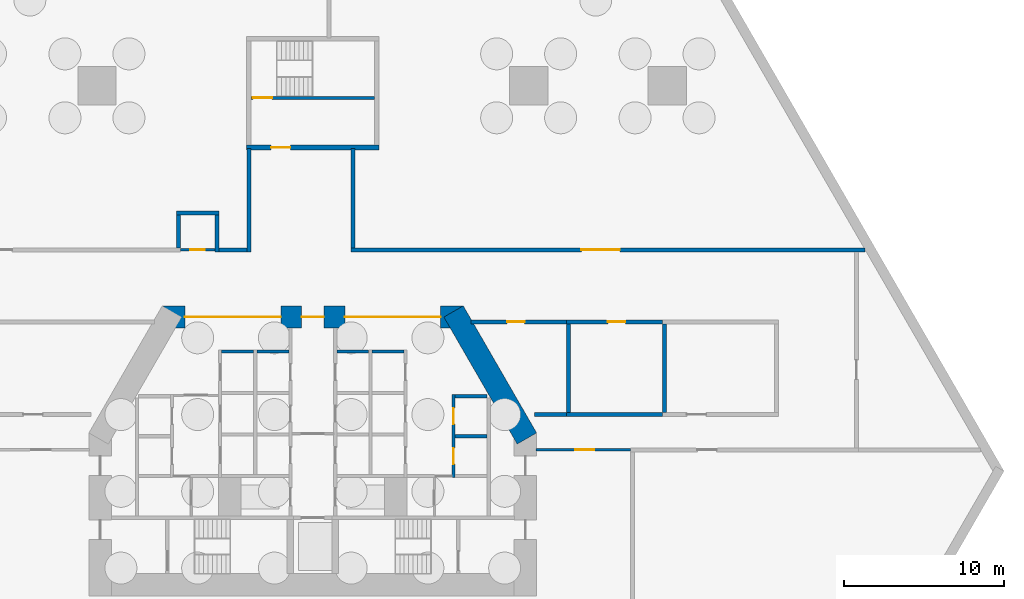
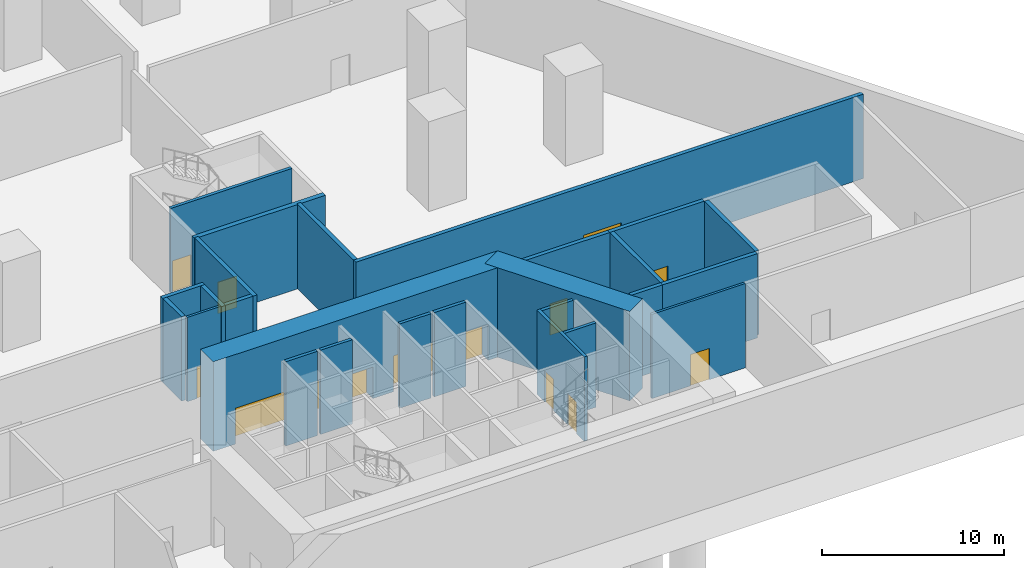
# One storey, part 4 of 8: 26 walls, 12 doors, 12 openings.
"""IFC4 building model written with IfcOpenShell, lengths in metres."""

from ifc_helpers import new_model, si_unit, direction, frame, frame_2d, origin, place, context, subcontext, project, spatial, rectangle, extrude, material, layer, layer_set, type_object, element, fill, save


model = new_model("IFC4")

# Units and contexts
model_context = context("Model", 3, precision=1e-05, world=origin(), true_north=direction((0.0, 1.0)))
body_context = subcontext(model_context, "Body", "Model", "MODEL_VIEW")
ifc_project = project(units=[si_unit("LENGTHUNIT", "METRE"), si_unit("AREAUNIT", "SQUARE_METRE"), si_unit("VOLUMEUNIT", "CUBIC_METRE"), si_unit("PLANEANGLEUNIT", "RADIAN"), si_unit("MASSUNIT", "GRAM", prefix="KILO")], contexts=[model_context])

# Site, building, storey
site_placement = place(None, origin())
site = spatial("IfcSite", under=ifc_project, at=site_placement, CompositionType="ELEMENT")
building_placement = place(site_placement, origin())
building = spatial("IfcBuilding", under=site, at=building_placement, Name="Fogline Exchange Tower", CompositionType="ELEMENT")
storey_placement = place(building_placement, frame((0.0, 0.0, -14.0)))
storey = spatial("IfcBuildingStorey", under=building, at=storey_placement, Name="B2", CompositionType="ELEMENT", Elevation=-14.0)

# Wall, opening, door
ifc_material_1 = material(Name="Concrete C40", Category="concrete")
ifc_layer_1 = layer(ifc_material_1, 0.199951171875)
ifc_layer_set_1 = layer_set([ifc_layer_1], Name="CW20R")
wall_type_1 = type_object("IfcWallType", Name="CW20R", PredefinedType="SOLIDWALL", material=ifc_layer_set_1)
wall_1_placement = place(storey_placement, frame((-3.85009765625, 32.007080078125, 0.0), z_axis=(0.0, 0.0, 1.0), x_axis=(1.0, 0.0, 0.0)))
wall_1 = element("IfcWall", 1, at=wall_1_placement, inside=storey, type_object=wall_type_1, Name="Stair enclosure wall ST3", PredefinedType="SOLIDWALL", context=body_context, shape_type="SweptSolid", body=[
    extrude(rectangle(XDim=7.7001953125, YDim=0.199951171875, at=frame_2d((3.85009765625, 0.0))), origin(), (0.0, 0.0, 1.0), 5.64990234375),
])
opening_1_placement = place(wall_1_placement, frame((0.10009765625, 0.0, 0.0)))
opening_1 = element("IfcOpeningElement", 2, at=opening_1_placement, cuts=wall_1, Name="Opening B2-C033", PredefinedType="OPENING", context=body_context, shape_type="SweptSolid", body=[
    extrude(rectangle(XDim=1.199951171875, YDim=2.10009765625, at=frame_2d((0.60009765625, 1.050048828125))), frame((0.0, 0.10986328125, 0.0), z_axis=(0.0, -1.0, 0.0), x_axis=(1.0, 0.0, 0.0)), (0.0, 0.0, 1.0), 0.219970703125),
])
ifc_material_2 = material(Name="Steel and timber fire door", Category="steel")
door_type_1 = type_object("IfcDoorType", Name="D-ST1", OperationType="SINGLE_SWING_LEFT", PredefinedType="DOOR", material=ifc_material_2)
door_1_placement = place(opening_1_placement, origin())
door_1 = element("IfcDoor", 3, at=door_1_placement, inside=storey, type_object=door_type_1, Name="Stair door ST3", OperationType="SINGLE_SWING_LEFT", OverallHeight=2.10009765625, OverallWidth=1.199951171875, PredefinedType="DOOR", context=body_context, shape_type="SweptSolid", body=[
    extrude(rectangle(XDim=1.199951171875, YDim=2.10009765625, at=frame_2d((0.60009765625, 1.050048828125))), frame((0.0, 0.02490234375, 0.0), z_axis=(0.0, -1.0, 0.0), x_axis=(1.0, 0.0, 0.0)), (0.0, 0.0, 1.0), 0.050048828125),
])
fill(opening_1, door_1)

# Wall, openings, doors
ifc_layer_2 = layer(ifc_material_1, 0.199951171875)
ifc_layer_set_2 = layer_set([ifc_layer_2], Name="CW20S")
wall_type_2 = type_object("IfcWallType", Name="CW20S", PredefinedType="SOLIDWALL", material=ifc_layer_set_2)
wall_2_placement = place(storey_placement, frame((8.800048828125, 8.25, 0.0), z_axis=(0.0, 0.0, 1.0), x_axis=(0.0, 1.0, 0.0)))
wall_2 = element("IfcWall", 4, at=wall_2_placement, inside=storey, type_object=wall_type_2, Name="Lift shaft wall", PredefinedType="SOLIDWALL", context=body_context, shape_type="SweptSolid", body=[
    extrude(rectangle(XDim=5.199951171875, YDim=0.199951171875, at=frame_2d((2.60009765625, 0.0))), origin(), (0.0, 0.0, 1.0), 5.64990234375),
])
opening_2_placement = place(wall_2_placement, frame((0.85009765625, 0.0, 0.0)))
opening_2 = element("IfcOpeningElement", 5, at=opening_2_placement, cuts=wall_2, Name="Opening B2-C009", PredefinedType="OPENING", context=body_context, shape_type="SweptSolid", body=[
    extrude(rectangle(XDim=1.0, YDim=2.10009765625, at=frame_2d((0.5, 1.050048828125))), frame((0.0, 0.10986328125, 0.0), z_axis=(0.0, -1.0, 0.0), x_axis=(1.0, 0.0, 0.0)), (0.0, 0.0, 1.0), 0.219970703125),
])
opening_3_placement = place(wall_2_placement, frame((3.35009765625, 0.0, 0.0)))
opening_3 = element("IfcOpeningElement", 6, at=opening_3_placement, cuts=wall_2, Name="Opening B2-C010", PredefinedType="OPENING", context=body_context, shape_type="SweptSolid", body=[
    extrude(rectangle(XDim=1.0, YDim=2.10009765625, at=frame_2d((0.5, 1.050048828125))), frame((0.0, 0.10986328125, 0.0), z_axis=(0.0, -1.0, 0.0), x_axis=(1.0, 0.0, 0.0)), (0.0, 0.0, 1.0), 0.219970703125),
])
door_type_2 = type_object("IfcDoorType", Name="D-RM1", OperationType="SINGLE_SWING_LEFT", PredefinedType="DOOR", material=ifc_material_2)
door_2_placement = place(opening_2_placement, frame((1.0, 0.0, 0.0), z_axis=(0.0, 0.0, 1.0), x_axis=(-1.0, 0.0, 0.0)))
door_2 = element("IfcDoor", 7, at=door_2_placement, inside=storey, type_object=door_type_2, Name="Door to Server Room", OperationType="SINGLE_SWING_LEFT", OverallHeight=2.10009765625, OverallWidth=1.0, PredefinedType="DOOR", context=body_context, shape_type="SweptSolid", body=[
    extrude(rectangle(XDim=1.0, YDim=2.10009765625, at=frame_2d((0.5, 1.050048828125))), frame((0.0, 0.02490234375, 0.0), z_axis=(0.0, -1.0, 0.0), x_axis=(1.0, 0.0, 0.0)), (0.0, 0.0, 1.0), 0.050048828125),
])
fill(opening_2, door_2)
door_3_placement = place(opening_3_placement, frame((1.0, 0.0, 0.0), z_axis=(0.0, 0.0, 1.0), x_axis=(-1.0, 0.0, 0.0)))
door_3 = element("IfcDoor", 8, at=door_3_placement, inside=storey, type_object=door_type_2, Name="Door to Archive Store", OperationType="SINGLE_SWING_LEFT", OverallHeight=2.10009765625, OverallWidth=1.0, PredefinedType="DOOR", context=body_context, shape_type="SweptSolid", body=[
    extrude(rectangle(XDim=1.0, YDim=2.10009765625, at=frame_2d((0.5, 1.050048828125))), frame((0.0, 0.02490234375, 0.0), z_axis=(0.0, -1.0, 0.0), x_axis=(1.0, 0.0, 0.0)), (0.0, 0.0, 1.0), 0.050048828125),
])
fill(opening_3, door_3)

# Walls
for number, where, z_axis, x_axis, name in (
    (9, (-5.699951171875, 16.14990234375, 0.0), (0.0, 0.0, 1.0), (1.0, 0.0, 0.0), "Lift shaft wall"),
    (10, (-3.5, 16.14990234375, 0.0), (0.0, 0.0, 1.0), (1.0, 0.0, 0.0), "Lift shaft wall"),
    (11, (8.89990234375, 10.85009765625, 0.0), (0.0, 0.0, 1.0), (1.0, 0.0, 0.0), "Lift shaft wall"),
    (12, (8.89990234375, 13.35009765625, 0.0), (0.0, 0.0, 1.0), (1.0, 0.0, 0.0), "Lift shaft wall"),
    (13, (3.699951171875, 16.14990234375, 0.0), (0.0, 0.0, 1.0), (1.0, 0.0, 0.0), "Lift shaft wall"),
    (14, (1.5, 16.14990234375, 0.0), (0.0, 0.0, 1.0), (1.0, 0.0, 0.0), "Lift shaft wall"),
):
    element("IfcWall", number, at=place(storey_placement, frame(where, z_axis=z_axis, x_axis=x_axis)), inside=storey, type_object=wall_type_2, Name=name, PredefinedType="SOLIDWALL", context=body_context, shape_type="SweptSolid", body=[
        extrude(rectangle(XDim=2.0, YDim=0.199951171875, at=frame_2d((1.0, 0.0))), origin(), (0.0, 0.0, 1.0), 5.64990234375),
    ])

# Wall, opening, door
ifc_layer_3 = layer(ifc_material_1, 0.300048828125)
ifc_layer_set_3 = layer_set([ifc_layer_3], Name="CW30")
wall_type_3 = type_object("IfcWallType", Name="CW30", PredefinedType="SOLIDWALL", material=ifc_layer_set_3)
wall_3_placement = place(storey_placement, frame((-4.14990234375, 28.906982421875, 0.0), z_axis=(0.0, 0.0, 1.0), x_axis=(1.0, 0.0, 0.0)))
wall_3 = element("IfcWall", 15, at=wall_3_placement, inside=storey, type_object=wall_type_3, Name="Stair enclosure wall ST3", PredefinedType="SOLIDWALL", context=body_context, shape_type="SweptSolid", body=[
    extrude(rectangle(XDim=8.2998046875, YDim=0.300048828125, at=frame_2d((4.14990234375, 0.0))), origin(), (0.0, 0.0, 1.0), 5.64990234375),
])
opening_4_placement = place(wall_3_placement, frame((1.550048828125, 0.0, 0.0)))
opening_4 = element("IfcOpeningElement", 16, at=opening_4_placement, cuts=wall_3, Name="Opening B2-C032", PredefinedType="OPENING", context=body_context, shape_type="SweptSolid", body=[
    extrude(rectangle(XDim=1.199951171875, YDim=2.10009765625, at=frame_2d((0.60009765625, 1.050048828125))), frame((0.0, 0.16015625, 0.0), z_axis=(0.0, -1.0, 0.0), x_axis=(1.0, 0.0, 0.0)), (0.0, 0.0, 1.0), 0.320068359375),
])
door_type_3 = type_object("IfcDoorType", Name="D-FR1", OperationType="SINGLE_SWING_RIGHT", PredefinedType="DOOR", material=ifc_material_2)
door_4_placement = place(opening_4_placement, origin())
door_4 = element("IfcDoor", 17, at=door_4_placement, inside=storey, type_object=door_type_3, Name="Front room door ST3", OperationType="SINGLE_SWING_LEFT", OverallHeight=2.10009765625, OverallWidth=1.199951171875, PredefinedType="DOOR", context=body_context, shape_type="SweptSolid", body=[
    extrude(rectangle(XDim=1.199951171875, YDim=2.10009765625, at=frame_2d((0.60009765625, 1.050048828125))), frame((0.0, 0.02490234375, 0.0), z_axis=(0.0, -1.0, 0.0), x_axis=(1.0, 0.0, 0.0)), (0.0, 0.0, 1.0), 0.050048828125),
])
fill(opening_4, door_4)

ifc_material_3 = material(Name="Plasterboard on steel stud", Category="steel")
ifc_layer_4 = layer(ifc_material_3, 0.14990234375)
ifc_layer_set_4 = layer_set([ifc_layer_4], Name="PP1")
wall_type_4 = type_object("IfcWallType", Name="PP1", PredefinedType="PARTITIONING", material=ifc_layer_set_4)
wall_4_placement = place(storey_placement, frame((13.955078125, 10.0, 0.0), z_axis=(0.0, 0.0, 1.0), x_axis=(1.0, 0.0, 0.0)))
wall_4 = element("IfcWall", 18, at=wall_4_placement, inside=storey, type_object=wall_type_4, Name="PP1 partition", PredefinedType="PARTITIONING", context=body_context, shape_type="SweptSolid", body=[
    extrude(rectangle(XDim=5.919921875, YDim=0.14990234375, at=frame_2d((2.9599609375, 0.0))), origin(), (0.0, 0.0, 1.0), 5.64990234375),
])
opening_5_placement = place(wall_4_placement, frame((2.445068359375, 0.0, 0.0)))
opening_5 = element("IfcOpeningElement", 19, at=opening_5_placement, cuts=wall_4, Name="Opening B2-D002", PredefinedType="OPENING", context=body_context, shape_type="SweptSolid", body=[
    extrude(rectangle(XDim=1.199951171875, YDim=2.10009765625, at=frame_2d((0.60009765625, 1.050048828125))), frame((0.0, 0.0849609375, 0.0), z_axis=(0.0, -1.0, 0.0), x_axis=(1.0, 0.0, 0.0)), (0.0, 0.0, 1.0), 0.169921875),
])
ifc_material_4 = material(Name="Steel Q235B", Category="steel")
door_type_4 = type_object("IfcDoorType", Name="PD7", OperationType="SINGLE_SWING_LEFT", PredefinedType="DOOR", material=ifc_material_4)
door_5_placement = place(opening_5_placement, frame((1.199951171875, 0.0, 0.0), z_axis=(0.0, 0.0, 1.0), x_axis=(-1.0, 0.0, 0.0)))
door_5 = element("IfcDoor", 20, at=door_5_placement, inside=storey, type_object=door_type_4, Name="B2-D002", OperationType="SINGLE_SWING_LEFT", OverallHeight=2.10009765625, OverallWidth=1.199951171875, PredefinedType="DOOR", context=body_context, shape_type="SweptSolid", body=[
    extrude(rectangle(XDim=1.199951171875, YDim=2.10009765625, at=frame_2d((0.60009765625, 1.050048828125))), frame((0.0, 0.02490234375, 0.0), z_axis=(0.0, -1.0, 0.0), x_axis=(1.0, 0.0, 0.0)), (0.0, 0.0, 1.0), 0.050048828125),
])
fill(opening_5, door_5)

wall_5_placement = place(storey_placement, frame((-8.27490234375, 22.5, 0.0), z_axis=(0.0, 0.0, 1.0), x_axis=(1.0, 0.0, 0.0)))
wall_5 = element("IfcWall", 21, at=wall_5_placement, inside=storey, type_object=wall_type_4, Name="PP1 partition", PredefinedType="PARTITIONING", context=body_context, shape_type="SweptSolid", body=[
    extrude(rectangle(XDim=2.14990234375, YDim=0.14990234375, at=frame_2d((1.074951171875, 0.0))), origin(), (0.0, 0.0, 1.0), 5.64990234375),
])
opening_6_placement = place(wall_5_placement, frame((0.625, 0.0, 0.0)))
opening_6 = element("IfcOpeningElement", 22, at=opening_6_placement, cuts=wall_5, Name="Opening B2-D014", PredefinedType="OPENING", context=body_context, shape_type="SweptSolid", body=[
    extrude(rectangle(XDim=0.89990234375, YDim=2.10009765625, at=frame_2d((0.449951171875, 1.050048828125))), frame((0.0, 0.0849609375, 0.0), z_axis=(0.0, -1.0, 0.0), x_axis=(1.0, 0.0, 0.0)), (0.0, 0.0, 1.0), 0.169921875),
])
ifc_material_5 = material(Name="Timber", Category="wood")
door_type_5 = type_object("IfcDoorType", Name="PD2", OperationType="SINGLE_SWING_LEFT", PredefinedType="DOOR", material=ifc_material_5)
door_6_placement = place(opening_6_placement, origin())
door_6 = element("IfcDoor", 23, at=door_6_placement, inside=storey, type_object=door_type_5, Name="B2-D014", OperationType="SINGLE_SWING_RIGHT", OverallHeight=2.10009765625, OverallWidth=0.89990234375, PredefinedType="DOOR", context=body_context, shape_type="SweptSolid", body=[
    extrude(rectangle(XDim=0.89990234375, YDim=2.10009765625, at=frame_2d((0.449951171875, 1.050048828125))), frame((0.0, 0.02490234375, 0.0), z_axis=(0.0, -1.0, 0.0), x_axis=(1.0, 0.0, 0.0)), (0.0, 0.0, 1.0), 0.050048828125),
])
fill(opening_6, door_6)

# Walls
ifc_layer_5 = layer(ifc_material_1, 0.25)
ifc_layer_set_5 = layer_set([ifc_layer_5], Name="PP3")
wall_type_5 = type_object("IfcWallType", Name="PP3", PredefinedType="SOLIDWALL", material=ifc_layer_set_5)
wall_6_placement = place(storey_placement, frame((13.875, 12.199951171875, 0.0), z_axis=(0.0, 0.0, 1.0), x_axis=(1.0, 0.0, 0.0)))
element("IfcWall", 24, at=wall_6_placement, inside=storey, type_object=wall_type_5, Name="PP3 partition", PredefinedType="SOLIDWALL", context=body_context, shape_type="SweptSolid", body=[
    extrude(rectangle(XDim=2.0, YDim=0.25, at=frame_2d((1.0, 0.0))), origin(), (0.0, 0.0, 1.0), 5.64990234375),
])
wall_7_placement = place(storey_placement, frame((15.875, 12.199951171875, 0.0), z_axis=(0.0, 0.0, 1.0), x_axis=(1.0, 0.0, 0.0)))
element("IfcWall", 25, at=wall_7_placement, inside=storey, type_object=wall_type_5, Name="PP3 partition", PredefinedType="SOLIDWALL", context=body_context, shape_type="SweptSolid", body=[
    extrude(rectangle(XDim=6.0, YDim=0.25, at=frame_2d((3.0, 0.0))), origin(), (0.0, 0.0, 1.0), 5.64990234375),
])
for number, where, z_axis, x_axis, name in (
    (26, (22.0, 12.324951171875, 0.0), (0.0, 0.0, 1.0), (0.0, 1.0, 0.0), "PP3 partition"),
    (27, (16.0, 17.875, 0.0), (0.0, 0.0, 1.0), (0.0, -1.0, 0.0), "PP3 partition"),
):
    element("IfcWall", number, at=place(storey_placement, frame(where, z_axis=z_axis, x_axis=x_axis)), inside=storey, type_object=wall_type_5, Name=name, PredefinedType="SOLIDWALL", context=body_context, shape_type="SweptSolid", body=[
        extrude(rectangle(XDim=5.550048828125, YDim=0.25, at=frame_2d((2.77490234375, 0.0))), origin(), (0.0, 0.0, 1.0), 5.64990234375),
    ])

# Wall, opening, door
wall_8_placement = place(storey_placement, frame((15.875, 18.0, 0.0), z_axis=(0.0, 0.0, 1.0), x_axis=(-1.0, 0.0, 0.0)))
wall_8 = element("IfcWall", 28, at=wall_8_placement, inside=storey, type_object=wall_type_5, Name="PP3 partition", PredefinedType="SOLIDWALL", context=body_context, shape_type="SweptSolid", body=[
    extrude(rectangle(XDim=5.9765625, YDim=0.25, at=frame_2d((2.98828125, 0.0))), origin(), (0.0, 0.0, 1.0), 5.64990234375),
])
opening_7_placement = place(wall_8_placement, frame((2.625, 0.0, 0.0)))
opening_7 = element("IfcOpeningElement", 29, at=opening_7_placement, cuts=wall_8, Name="Opening B2-D009", PredefinedType="OPENING", context=body_context, shape_type="SweptSolid", body=[
    extrude(rectangle(XDim=1.10009765625, YDim=2.10009765625, at=frame_2d((0.550048828125, 1.050048828125))), frame((0.0, 0.135009765625, 0.0), z_axis=(0.0, -1.0, 0.0), x_axis=(1.0, 0.0, 0.0)), (0.0, 0.0, 1.0), 0.27001953125),
])
door_type_6 = type_object("IfcDoorType", Name="PD5", OperationType="SINGLE_SWING_LEFT", PredefinedType="DOOR", material=ifc_material_4)
door_7_placement = place(opening_7_placement, origin())
door_7 = element("IfcDoor", 30, at=door_7_placement, inside=storey, type_object=door_type_6, Name="B2-D009", OperationType="SINGLE_SWING_RIGHT", OverallHeight=2.10009765625, OverallWidth=1.10009765625, PredefinedType="DOOR", context=body_context, shape_type="SweptSolid", body=[
    extrude(rectangle(XDim=1.10009765625, YDim=2.10009765625, at=frame_2d((0.550048828125, 1.050048828125))), frame((0.0, 0.02490234375, 0.0), z_axis=(0.0, -1.0, 0.0), x_axis=(1.0, 0.0, 0.0)), (0.0, 0.0, 1.0), 0.050048828125),
])
fill(opening_7, door_7)

wall_9_placement = place(storey_placement, frame((21.875, 18.0, 0.0), z_axis=(0.0, 0.0, 1.0), x_axis=(-1.0, 0.0, 0.0)))
wall_9 = element("IfcWall", 31, at=wall_9_placement, inside=storey, type_object=wall_type_5, Name="PP3 partition", PredefinedType="SOLIDWALL", context=body_context, shape_type="SweptSolid", body=[
    extrude(rectangle(XDim=6.0, YDim=0.25, at=frame_2d((3.0, 0.0))), origin(), (0.0, 0.0, 1.0), 5.64990234375),
])
opening_8_placement = place(wall_9_placement, frame((2.324951171875, 0.0, 0.0)))
opening_8 = element("IfcOpeningElement", 32, at=opening_8_placement, cuts=wall_9, Name="Opening B2-D010", PredefinedType="OPENING", context=body_context, shape_type="SweptSolid", body=[
    extrude(rectangle(XDim=1.10009765625, YDim=2.10009765625, at=frame_2d((0.550048828125, 1.050048828125))), frame((0.0, 0.135009765625, 0.0), z_axis=(0.0, -1.0, 0.0), x_axis=(1.0, 0.0, 0.0)), (0.0, 0.0, 1.0), 0.27001953125),
])
door_8_placement = place(opening_8_placement, origin())
door_8 = element("IfcDoor", 33, at=door_8_placement, inside=storey, type_object=door_type_6, Name="B2-D010", OperationType="SINGLE_SWING_RIGHT", OverallHeight=2.10009765625, OverallWidth=1.10009765625, PredefinedType="DOOR", context=body_context, shape_type="SweptSolid", body=[
    extrude(rectangle(XDim=1.10009765625, YDim=2.10009765625, at=frame_2d((0.550048828125, 1.050048828125))), frame((0.0, 0.02490234375, 0.0), z_axis=(0.0, -1.0, 0.0), x_axis=(1.0, 0.0, 0.0)), (0.0, 0.0, 1.0), 0.050048828125),
])
fill(opening_8, door_8)

# Walls
wall_10_placement = place(storey_placement, frame((-4.0, 22.375, 0.0), z_axis=(0.0, 0.0, 1.0), x_axis=(0.0, 1.0, 0.0)))
element("IfcWall", 34, at=wall_10_placement, inside=storey, type_object=wall_type_5, Name="PP3 partition", PredefinedType="SOLIDWALL", context=body_context, shape_type="SweptSolid", body=[
    extrude(rectangle(XDim=6.47705078125, YDim=0.25, at=frame_2d((3.238525390625, 0.0))), origin(), (0.0, 0.0, 1.0), 5.64990234375),
])
wall_11_placement = place(storey_placement, frame((-5.875, 22.5, 0.0), z_axis=(0.0, 0.0, 1.0), x_axis=(1.0, 0.0, 0.0)))
element("IfcWall", 35, at=wall_11_placement, inside=storey, type_object=wall_type_5, Name="PP3 partition", PredefinedType="SOLIDWALL", context=body_context, shape_type="SweptSolid", body=[
    extrude(rectangle(XDim=1.75, YDim=0.25, at=frame_2d((0.875, 0.0))), origin(), (0.0, 0.0, 1.0), 5.64990234375),
])

# Wall, opening, door
wall_12_placement = place(storey_placement, frame((2.375, 22.5, 0.0), z_axis=(0.0, 0.0, 1.0), x_axis=(1.0, 0.0, 0.0)))
wall_12 = element("IfcWall", 36, at=wall_12_placement, inside=storey, type_object=wall_type_5, Name="PP3 partition", PredefinedType="SOLIDWALL", context=body_context, shape_type="SweptSolid", body=[
    extrude(rectangle(XDim=32.172607421875, YDim=0.25, at=frame_2d((16.08642578125, 0.0))), origin(), (0.0, 0.0, 1.0), 5.64990234375),
])
opening_9_placement = place(wall_12_placement, frame((14.425048828125, 0.0, 0.0)))
opening_9 = element("IfcOpeningElement", 37, at=opening_9_placement, cuts=wall_12, Name="Opening B2-D015", PredefinedType="OPENING", context=body_context, shape_type="SweptSolid", body=[
    extrude(rectangle(XDim=2.39990234375, YDim=2.39990234375, at=frame_2d((1.199951171875, 1.199951171875))), frame((0.0, 0.135009765625, 0.0), z_axis=(0.0, -1.0, 0.0), x_axis=(1.0, 0.0, 0.0)), (0.0, 0.0, 1.0), 0.27001953125),
])
door_type_7 = type_object("IfcDoorType", Name="PD9", OperationType="DOUBLE_DOOR_SINGLE_SWING", PredefinedType="DOOR", material=ifc_material_4)
door_9_placement = place(opening_9_placement, origin())
door_9 = element("IfcDoor", 38, at=door_9_placement, inside=storey, type_object=door_type_7, Name="B2-D015", OperationType="DOUBLE_DOOR_SINGLE_SWING", OverallHeight=2.39990234375, OverallWidth=2.39990234375, PredefinedType="DOOR", context=body_context, shape_type="SweptSolid", body=[
    extrude(rectangle(XDim=2.39990234375, YDim=2.39990234375, at=frame_2d((1.199951171875, 1.199951171875))), frame((0.0, 0.02490234375, 0.0), z_axis=(0.0, -1.0, 0.0), x_axis=(1.0, 0.0, 0.0)), (0.0, 0.0, 1.0), 0.050048828125),
])
fill(opening_9, door_9)

# Walls
wall_13_placement = place(storey_placement, frame((-8.39990234375, 22.625, 0.0), z_axis=(0.0, 0.0, 1.0), x_axis=(0.0, 1.0, 0.0)))
element("IfcWall", 39, at=wall_13_placement, inside=storey, type_object=wall_type_5, Name="PP3 partition", PredefinedType="SOLIDWALL", context=body_context, shape_type="SweptSolid", body=[
    extrude(rectangle(XDim=2.050048828125, YDim=0.25, at=frame_2d((1.02490234375, 0.0))), origin(), (0.0, 0.0, 1.0), 5.64990234375),
])
wall_14_placement = place(storey_placement, frame((-6.0, 24.675048828125, 0.0), z_axis=(0.0, 0.0, 1.0), x_axis=(0.0, -1.0, 0.0)))
element("IfcWall", 40, at=wall_14_placement, inside=storey, type_object=wall_type_5, Name="PP3 partition", PredefinedType="SOLIDWALL", context=body_context, shape_type="SweptSolid", body=[
    extrude(rectangle(XDim=2.300048828125, YDim=0.25, at=frame_2d((1.14990234375, 0.0))), origin(), (0.0, 0.0, 1.0), 5.64990234375),
])
wall_15_placement = place(storey_placement, frame((-8.52490234375, 24.800048828125, 0.0), z_axis=(0.0, 0.0, 1.0), x_axis=(1.0, 0.0, 0.0)))
element("IfcWall", 41, at=wall_15_placement, inside=storey, type_object=wall_type_5, Name="PP3 partition", PredefinedType="SOLIDWALL", context=body_context, shape_type="SweptSolid", body=[
    extrude(rectangle(XDim=2.64990234375, YDim=0.25, at=frame_2d((1.324951171875, 0.0))), origin(), (0.0, 0.0, 1.0), 5.64990234375),
])
wall_16_placement = place(storey_placement, frame((2.5, 28.85205078125, 0.0), z_axis=(0.0, 0.0, 1.0), x_axis=(0.0, -1.0, 0.0)))
element("IfcWall", 42, at=wall_16_placement, inside=storey, type_object=wall_type_5, Name="PP3 partition", PredefinedType="SOLIDWALL", context=body_context, shape_type="SweptSolid", body=[
    extrude(rectangle(XDim=6.22705078125, YDim=0.25, at=frame_2d((3.113525390625, 0.0))), origin(), (0.0, 0.0, 1.0), 5.64990234375),
])
ifc_material_6 = material(Name="Concrete C60", Category="concrete")
ifc_layer_6 = layer(ifc_material_6, 1.39990234375)
ifc_layer_set_6 = layer_set([ifc_layer_6], Name="SW01")
wall_type_6 = type_object("IfcWallType", Name="SW01", PredefinedType="SHEAR", material=ifc_layer_set_6)
wall_17_placement = place(storey_placement, frame((13.393798828125, 10.70263671875, 0.0), z_axis=(0.0, 0.0, 1.0), x_axis=(-0.50000187635, 0.866024320471, 0.0)))
element("IfcWall", 43, at=wall_17_placement, inside=storey, type_object=wall_type_6, Name="B2-W903", PredefinedType="SHEAR", context=body_context, shape_type="SweptSolid", body=[
    extrude(rectangle(XDim=9.1767578125, YDim=1.39990234375, at=frame_2d((4.58837890625, 0.0))), origin(), (0.0, 0.0, 1.0), 6.0),
])

# Wall, openings, doors
wall_18_placement = place(storey_placement, frame((9.41162109375, 18.300048828125, 0.0), z_axis=(0.0, 0.0, 1.0), x_axis=(-1.0, 0.0, 0.0)))
wall_18 = element("IfcWall", 44, at=wall_18_placement, inside=storey, type_object=wall_type_6, Name="B2-W904", PredefinedType="SHEAR", context=body_context, shape_type="SweptSolid", body=[
    extrude(rectangle(XDim=18.8232421875, YDim=1.39990234375, at=frame_2d((9.41162109375, 0.0))), origin(), (0.0, 0.0, 1.0), 6.0),
])
opening_10_placement = place(wall_18_placement, frame((8.71142578125, 0.0, 0.0)))
opening_10 = element("IfcOpeningElement", 45, at=opening_10_placement, cuts=wall_18, Name="Opening B2-C029", PredefinedType="OPENING", context=body_context, shape_type="SweptSolid", body=[
    extrude(rectangle(XDim=1.39990234375, YDim=2.10009765625, at=frame_2d((0.699951171875, 1.050048828125))), frame((0.0, 0.7099609375, 0.0), z_axis=(0.0, -1.0, 0.0), x_axis=(1.0, 0.0, 0.0)), (0.0, 0.0, 1.0), 1.419921875),
])
opening_11_placement = place(wall_18_placement, frame((11.41162109375, 0.0, 0.0)))
opening_11 = element("IfcOpeningElement", 46, at=opening_11_placement, cuts=wall_18, Name="Opening B2-C030", PredefinedType="OPENING", context=body_context, shape_type="SweptSolid", body=[
    extrude(rectangle(XDim=6.0, YDim=2.39990234375, at=frame_2d((3.0, 1.199951171875))), frame((0.0, 0.7099609375, 0.0), z_axis=(0.0, -1.0, 0.0), x_axis=(1.0, 0.0, 0.0)), (0.0, 0.0, 1.0), 1.419921875),
])
opening_12_placement = place(wall_18_placement, frame((1.41162109375, 0.0, 0.0)))
opening_12 = element("IfcOpeningElement", 47, at=opening_12_placement, cuts=wall_18, Name="Opening B2-C031", PredefinedType="OPENING", context=body_context, shape_type="SweptSolid", body=[
    extrude(rectangle(XDim=6.0, YDim=2.39990234375, at=frame_2d((3.0, 1.199951171875))), frame((0.0, 0.7099609375, 0.0), z_axis=(0.0, -1.0, 0.0), x_axis=(1.0, 0.0, 0.0)), (0.0, 0.0, 1.0), 1.419921875),
])
door_type_8 = type_object("IfcDoorType", Name="D-LB1", OperationType="DOUBLE_DOOR_SINGLE_SWING", PredefinedType="DOOR", material=ifc_material_2)
door_10_placement = place(opening_10_placement, origin())
door_10 = element("IfcDoor", 48, at=door_10_placement, inside=storey, type_object=door_type_8, Name="Protected lobby door", OperationType="DOUBLE_DOOR_SINGLE_SWING", OverallHeight=2.10009765625, OverallWidth=1.39990234375, PredefinedType="DOOR", context=body_context, shape_type="SweptSolid", body=[
    extrude(rectangle(XDim=1.39990234375, YDim=2.10009765625, at=frame_2d((0.699951171875, 1.050048828125))), frame((0.0, 0.02490234375, 0.0), z_axis=(0.0, -1.0, 0.0), x_axis=(1.0, 0.0, 0.0)), (0.0, 0.0, 1.0), 0.050048828125),
])
fill(opening_10, door_10)
door_type_9 = type_object("IfcDoorType", Name="D-LE1", OperationType="DOUBLE_DOOR_SLIDING", PredefinedType="DOOR", material=ifc_material_2)
door_11_placement = place(opening_11_placement, origin())
door_11 = element("IfcDoor", 49, at=door_11_placement, inside=storey, type_object=door_type_9, Name="Lift lobby entrance west", OperationType="DOUBLE_DOOR_SLIDING", OverallHeight=2.39990234375, OverallWidth=6.0, PredefinedType="DOOR", context=body_context, shape_type="SweptSolid", body=[
    extrude(rectangle(XDim=6.0, YDim=2.39990234375, at=frame_2d((3.0, 1.199951171875))), frame((0.0, 0.02490234375, 0.0), z_axis=(0.0, -1.0, 0.0), x_axis=(1.0, 0.0, 0.0)), (0.0, 0.0, 1.0), 0.050048828125),
])
fill(opening_11, door_11)
door_12_placement = place(opening_12_placement, origin())
door_12 = element("IfcDoor", 50, at=door_12_placement, inside=storey, type_object=door_type_9, Name="Lift lobby entrance east", OperationType="DOUBLE_DOOR_SLIDING", OverallHeight=2.39990234375, OverallWidth=6.0, PredefinedType="DOOR", context=body_context, shape_type="SweptSolid", body=[
    extrude(rectangle(XDim=6.0, YDim=2.39990234375, at=frame_2d((3.0, 1.199951171875))), frame((0.0, 0.02490234375, 0.0), z_axis=(0.0, -1.0, 0.0), x_axis=(1.0, 0.0, 0.0)), (0.0, 0.0, 1.0), 0.050048828125),
])
fill(opening_12, door_12)

save(model, "model.ifc")
